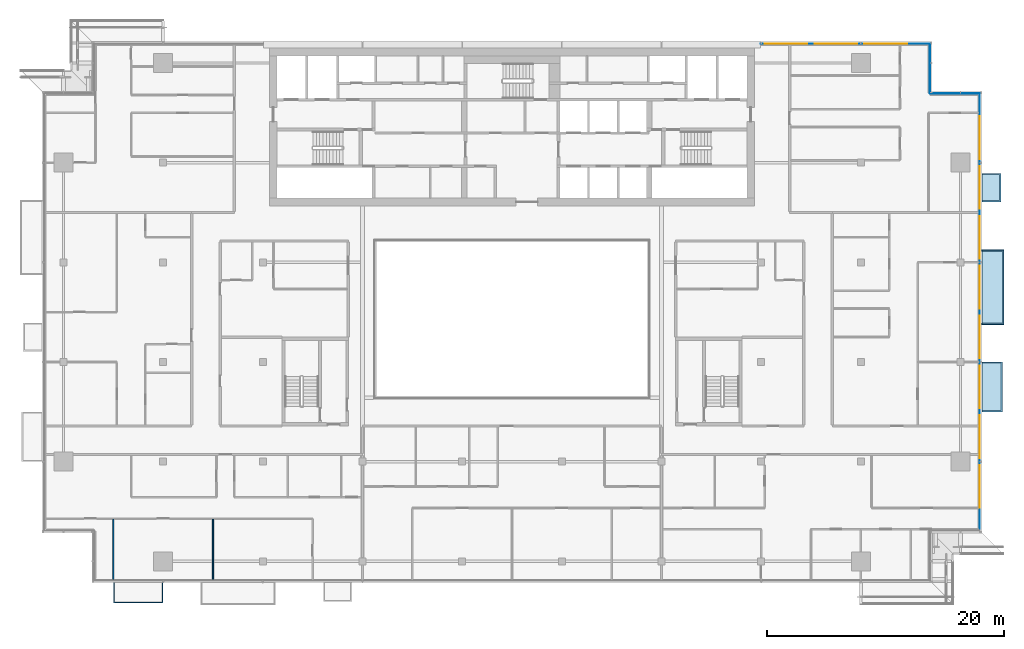
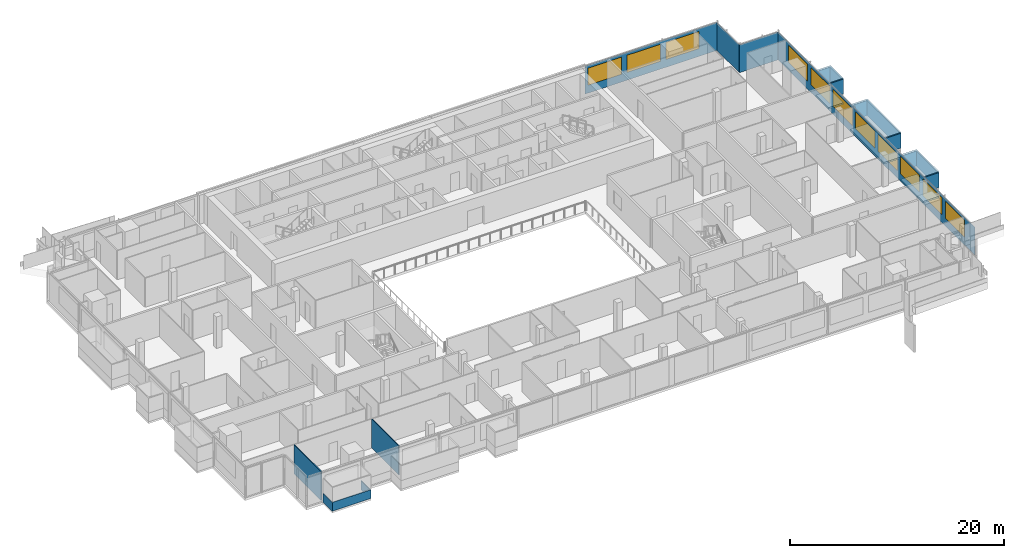
# One storey, part 16 of 30: 11 windows, 10 plates, 3 slabs, 3 walls, 11 openings, 4 elements without a shape of their own.
"""IFC4 building model written with IfcOpenShell, lengths in metres."""

from ifc_helpers import new_model, si_unit, direction, frame, frame_2d, origin, place, context, subcontext, project, spatial, polyline, rectangle, outline, extrude, material, layer, layer_set, type_object, element, fill, aggregate, save


model = new_model("IFC4")

# Units and contexts
model_context = context("Model", 3, precision=1e-05, world=origin(), true_north=direction((0.0, 1.0)))
body_context = subcontext(model_context, "Body", "Model", "MODEL_VIEW")
ifc_project = project(units=[si_unit("LENGTHUNIT", "METRE"), si_unit("AREAUNIT", "SQUARE_METRE"), si_unit("VOLUMEUNIT", "CUBIC_METRE"), si_unit("PLANEANGLEUNIT", "RADIAN"), si_unit("MASSUNIT", "GRAM", prefix="KILO")], contexts=[model_context])

# Site, building, storey
site_placement = place(None, origin())
site = spatial("IfcSite", under=ifc_project, at=site_placement, CompositionType="ELEMENT")
building_placement = place(site_placement, origin())
building = spatial("IfcBuilding", under=site, at=building_placement, Name="Saffron Gate Tower", CompositionType="ELEMENT")
storey_placement = place(building_placement, frame((0.0, 0.0, 216.300048828125)))
storey = spatial("IfcBuildingStorey", under=building, at=storey_placement, Name="L52", CompositionType="ELEMENT", Elevation=216.300048828125)

# Curtain wall, plate, openings, windows
ifc_material_1 = material(Name="Aluminium, bronze anodised", Category="aluminium")
curtain_wall_type_1 = type_object("IfcCurtainWallType", Name="CWS2 curtain wall side facades", PredefinedType="NOTDEFINED", material=ifc_material_1)
curtain_wall_1_placement = place(storey_placement, origin())
curtain_wall_1 = element("IfcCurtainWall", 1, at=curtain_wall_1_placement, inside=storey, type_object=curtain_wall_type_1, Name="CWS2 run 4", PredefinedType="NOTDEFINED")
ifc_material_2 = material(Name="Fritted bronze-tinted laminated glass", Category="glass")
ifc_layer_1 = layer(ifc_material_2, 0.028076171875)
ifc_layer_set_1 = layer_set([ifc_layer_1], Name="CWS2 fixed glass")
plate_type_1 = type_object("IfcPlateType", Name="CWS2 fixed glass", PredefinedType="CURTAIN_PANEL", material=ifc_layer_set_1)
plate_1_placement = place(storey_placement, frame((127.02587890625, 34.387939453125, 0.0), z_axis=(0.0, 0.0, 1.0), x_axis=(0.0, 1.0, 0.0)))
plate_1 = element("IfcPlate", 2, at=plate_1_placement, type_object=plate_type_1, Name="CWS2 glass panel", PredefinedType="CURTAIN_PANEL", context=body_context, shape_type="SweptSolid", body=[
    extrude(rectangle(XDim=36.823974609375, YDim=0.028076171875, at=frame_2d((18.412109375, 0.0))), origin(), (0.0, 0.0, 1.0), 3.199951171875),
])
opening_1_placement = place(plate_1_placement, frame((1.912109375, 0.0, 0.89990234375)))
opening_1 = element("IfcOpeningElement", 3, at=opening_1_placement, cuts=plate_1, Name="Opening W1", PredefinedType="OPENING", context=body_context, shape_type="SweptSolid", body=[
    extrude(rectangle(XDim=3.60009765625, YDim=1.949951171875, at=frame_2d((1.800048828125, 0.97509765625))), frame((0.0, 0.02392578125, 0.0), z_axis=(0.0, -1.0, 0.0), x_axis=(1.0, 0.0, 0.0)), (0.0, 0.0, 1.0), 0.048095703125),
])
opening_2_placement = place(plate_1_placement, frame((6.112060546875, 0.0, 0.89990234375)))
opening_2 = element("IfcOpeningElement", 4, at=opening_2_placement, cuts=plate_1, Name="Opening W1", PredefinedType="OPENING", context=body_context, shape_type="SweptSolid", body=[
    extrude(rectangle(XDim=3.60009765625, YDim=1.949951171875, at=frame_2d((1.800048828125, 0.97509765625))), frame((0.0, 0.02392578125, 0.0), z_axis=(0.0, -1.0, 0.0), x_axis=(1.0, 0.0, 0.0)), (0.0, 0.0, 1.0), 0.048095703125),
])
opening_3_placement = place(plate_1_placement, frame((10.31201171875, 0.0, 0.89990234375)))
opening_3 = element("IfcOpeningElement", 5, at=opening_3_placement, cuts=plate_1, Name="Opening W1", PredefinedType="OPENING", context=body_context, shape_type="SweptSolid", body=[
    extrude(rectangle(XDim=3.60009765625, YDim=1.949951171875, at=frame_2d((1.800048828125, 0.97509765625))), frame((0.0, 0.02392578125, 0.0), z_axis=(0.0, -1.0, 0.0), x_axis=(1.0, 0.0, 0.0)), (0.0, 0.0, 1.0), 0.048095703125),
])
opening_4_placement = place(plate_1_placement, frame((14.511962890625, 0.0, 0.89990234375)))
opening_4 = element("IfcOpeningElement", 6, at=opening_4_placement, cuts=plate_1, Name="Opening W1", PredefinedType="OPENING", context=body_context, shape_type="SweptSolid", body=[
    extrude(rectangle(XDim=3.60009765625, YDim=1.949951171875, at=frame_2d((1.800048828125, 0.97509765625))), frame((0.0, 0.02392578125, 0.0), z_axis=(0.0, -1.0, 0.0), x_axis=(1.0, 0.0, 0.0)), (0.0, 0.0, 1.0), 0.048095703125),
])
opening_5_placement = place(plate_1_placement, frame((18.7119140625, 0.0, 0.89990234375)))
opening_5 = element("IfcOpeningElement", 7, at=opening_5_placement, cuts=plate_1, Name="Opening W1", PredefinedType="OPENING", context=body_context, shape_type="SweptSolid", body=[
    extrude(rectangle(XDim=3.60009765625, YDim=1.949951171875, at=frame_2d((1.800048828125, 0.97509765625))), frame((0.0, 0.02392578125, 0.0), z_axis=(0.0, -1.0, 0.0), x_axis=(1.0, 0.0, 0.0)), (0.0, 0.0, 1.0), 0.048095703125),
])
opening_6_placement = place(plate_1_placement, frame((22.912109375, 0.0, 0.89990234375)))
opening_6 = element("IfcOpeningElement", 8, at=opening_6_placement, cuts=plate_1, Name="Opening W1", PredefinedType="OPENING", context=body_context, shape_type="SweptSolid", body=[
    extrude(rectangle(XDim=3.60009765625, YDim=1.949951171875, at=frame_2d((1.800048828125, 0.97509765625))), frame((0.0, 0.02392578125, 0.0), z_axis=(0.0, -1.0, 0.0), x_axis=(1.0, 0.0, 0.0)), (0.0, 0.0, 1.0), 0.048095703125),
])
opening_7_placement = place(plate_1_placement, frame((27.112060546875, 0.0, 0.89990234375)))
opening_7 = element("IfcOpeningElement", 9, at=opening_7_placement, cuts=plate_1, Name="Opening W1", PredefinedType="OPENING", context=body_context, shape_type="SweptSolid", body=[
    extrude(rectangle(XDim=3.60009765625, YDim=1.949951171875, at=frame_2d((1.800048828125, 0.97509765625))), frame((0.0, 0.02392578125, 0.0), z_axis=(0.0, -1.0, 0.0), x_axis=(1.0, 0.0, 0.0)), (0.0, 0.0, 1.0), 0.048095703125),
])
opening_8_placement = place(plate_1_placement, frame((31.31201171875, 0.0, 0.89990234375)))
opening_8 = element("IfcOpeningElement", 10, at=opening_8_placement, cuts=plate_1, Name="Opening W1", PredefinedType="OPENING", context=body_context, shape_type="SweptSolid", body=[
    extrude(rectangle(XDim=3.60009765625, YDim=1.949951171875, at=frame_2d((1.800048828125, 0.97509765625))), frame((0.0, 0.02392578125, 0.0), z_axis=(0.0, -1.0, 0.0), x_axis=(1.0, 0.0, 0.0)), (0.0, 0.0, 1.0), 0.048095703125),
])
ifc_material_3 = material(Name="Fritted bronze-tinted laminated glass in bronze frame", Category="glass")
ifc_layer_2 = layer(ifc_material_3, 0.06005859375)
ifc_layer_set_2 = layer_set([ifc_layer_2], Name="W1 operable panel 3600x1950")
window_type = type_object("IfcWindowType", Name="W1 operable panel 3600x1950", PartitioningType="DOUBLE_PANEL_HORIZONTAL", PredefinedType="WINDOW", material=ifc_layer_set_2)
window_1_placement = place(opening_1_placement, origin())
window_1 = element("IfcWindow", 11, at=window_1_placement, type_object=window_type, Name="W1 operable panel", OverallHeight=1.949951171875, OverallWidth=3.60009765625, PartitioningType="SINGLE_PANEL", PredefinedType="WINDOW", context=body_context, shape_type="SweptSolid", body=[
    extrude(rectangle(XDim=3.60009765625, YDim=1.949951171875, at=frame_2d((1.800048828125, 0.97509765625))), frame((0.0, 0.013671875, 0.0), z_axis=(0.0, -1.0, 0.0), x_axis=(1.0, 0.0, 0.0)), (0.0, 0.0, 1.0), 0.027587890625),
])
fill(opening_1, window_1)
window_2_placement = place(opening_2_placement, origin())
window_2 = element("IfcWindow", 12, at=window_2_placement, type_object=window_type, Name="W1 operable panel", OverallHeight=1.949951171875, OverallWidth=3.60009765625, PartitioningType="SINGLE_PANEL", PredefinedType="WINDOW", context=body_context, shape_type="SweptSolid", body=[
    extrude(rectangle(XDim=3.60009765625, YDim=1.949951171875, at=frame_2d((1.800048828125, 0.97509765625))), frame((0.0, 0.013671875, 0.0), z_axis=(0.0, -1.0, 0.0), x_axis=(1.0, 0.0, 0.0)), (0.0, 0.0, 1.0), 0.027587890625),
])
fill(opening_2, window_2)
window_3_placement = place(opening_3_placement, origin())
window_3 = element("IfcWindow", 13, at=window_3_placement, type_object=window_type, Name="W1 operable panel", OverallHeight=1.949951171875, OverallWidth=3.60009765625, PartitioningType="SINGLE_PANEL", PredefinedType="WINDOW", context=body_context, shape_type="SweptSolid", body=[
    extrude(rectangle(XDim=3.60009765625, YDim=1.949951171875, at=frame_2d((1.800048828125, 0.97509765625))), frame((0.0, 0.013671875, 0.0), z_axis=(0.0, -1.0, 0.0), x_axis=(1.0, 0.0, 0.0)), (0.0, 0.0, 1.0), 0.027587890625),
])
fill(opening_3, window_3)
window_4_placement = place(opening_4_placement, origin())
window_4 = element("IfcWindow", 14, at=window_4_placement, type_object=window_type, Name="W1 operable panel", OverallHeight=1.949951171875, OverallWidth=3.60009765625, PartitioningType="SINGLE_PANEL", PredefinedType="WINDOW", context=body_context, shape_type="SweptSolid", body=[
    extrude(rectangle(XDim=3.60009765625, YDim=1.949951171875, at=frame_2d((1.800048828125, 0.97509765625))), frame((0.0, 0.013671875, 0.0), z_axis=(0.0, -1.0, 0.0), x_axis=(1.0, 0.0, 0.0)), (0.0, 0.0, 1.0), 0.027587890625),
])
fill(opening_4, window_4)
window_5_placement = place(opening_5_placement, origin())
window_5 = element("IfcWindow", 15, at=window_5_placement, type_object=window_type, Name="W1 operable panel", OverallHeight=1.949951171875, OverallWidth=3.60009765625, PartitioningType="SINGLE_PANEL", PredefinedType="WINDOW", context=body_context, shape_type="SweptSolid", body=[
    extrude(rectangle(XDim=3.60009765625, YDim=1.949951171875, at=frame_2d((1.800048828125, 0.97509765625))), frame((0.0, 0.013671875, 0.0), z_axis=(0.0, -1.0, 0.0), x_axis=(1.0, 0.0, 0.0)), (0.0, 0.0, 1.0), 0.027587890625),
])
fill(opening_5, window_5)
window_6_placement = place(opening_6_placement, origin())
window_6 = element("IfcWindow", 16, at=window_6_placement, type_object=window_type, Name="W1 operable panel", OverallHeight=1.949951171875, OverallWidth=3.60009765625, PartitioningType="SINGLE_PANEL", PredefinedType="WINDOW", context=body_context, shape_type="SweptSolid", body=[
    extrude(rectangle(XDim=3.60009765625, YDim=1.949951171875, at=frame_2d((1.800048828125, 0.97509765625))), frame((0.0, 0.013671875, 0.0), z_axis=(0.0, -1.0, 0.0), x_axis=(1.0, 0.0, 0.0)), (0.0, 0.0, 1.0), 0.027587890625),
])
fill(opening_6, window_6)
window_7_placement = place(opening_7_placement, origin())
window_7 = element("IfcWindow", 17, at=window_7_placement, type_object=window_type, Name="W1 operable panel", OverallHeight=1.949951171875, OverallWidth=3.60009765625, PartitioningType="SINGLE_PANEL", PredefinedType="WINDOW", context=body_context, shape_type="SweptSolid", body=[
    extrude(rectangle(XDim=3.60009765625, YDim=1.949951171875, at=frame_2d((1.800048828125, 0.97509765625))), frame((0.0, 0.013671875, 0.0), z_axis=(0.0, -1.0, 0.0), x_axis=(1.0, 0.0, 0.0)), (0.0, 0.0, 1.0), 0.027587890625),
])
fill(opening_7, window_7)
window_8_placement = place(opening_8_placement, origin())
window_8 = element("IfcWindow", 18, at=window_8_placement, type_object=window_type, Name="W1 operable panel", OverallHeight=1.949951171875, OverallWidth=3.60009765625, PartitioningType="SINGLE_PANEL", PredefinedType="WINDOW", context=body_context, shape_type="SweptSolid", body=[
    extrude(rectangle(XDim=3.60009765625, YDim=1.949951171875, at=frame_2d((1.800048828125, 0.97509765625))), frame((0.0, 0.013671875, 0.0), z_axis=(0.0, -1.0, 0.0), x_axis=(1.0, 0.0, 0.0)), (0.0, 0.0, 1.0), 0.027587890625),
])
fill(opening_8, window_8)
aggregate(curtain_wall_1, [plate_1, window_1, window_2, window_3, window_4, window_5, window_6, window_7, window_8])

curtain_wall_type_2 = type_object("IfcCurtainWallType", Name="CWS3 curtain wall rear facade", PredefinedType="NOTDEFINED", material=ifc_material_1)
curtain_wall_2_placement = place(storey_placement, origin())
curtain_wall_2 = element("IfcCurtainWall", 19, at=curtain_wall_2_placement, inside=storey, type_object=curtain_wall_type_2, Name="CWS3 run 7", PredefinedType="NOTDEFINED")
ifc_material_4 = material(Name="Fritted grey-tinted laminated glass", Category="glass")
ifc_layer_3 = layer(ifc_material_4, 0.028076171875)
ifc_layer_set_3 = layer_set([ifc_layer_3], Name="CWS3 fixed glass")
plate_type_2 = type_object("IfcPlateType", Name="CWS3 fixed glass", PredefinedType="CURTAIN_PANEL", material=ifc_layer_set_3)
plate_2_placement = place(storey_placement, frame((122.81201171875, 75.426025390625, 0.0), z_axis=(0.0, 0.0, 1.0), x_axis=(-1.0, 0.0, 0.0)))
plate_2 = element("IfcPlate", 20, at=plate_2_placement, type_object=plate_type_2, Name="CWS3 glass panel", PredefinedType="CURTAIN_PANEL", context=body_context, shape_type="SweptSolid", body=[
    extrude(rectangle(XDim=14.2470703125, YDim=0.028076171875, at=frame_2d((7.12353515625, 0.0))), origin(), (0.0, 0.0, 1.0), 3.199951171875),
])
opening_9_placement = place(plate_2_placement, frame((1.912109375, 0.0, 0.89990234375)))
opening_9 = element("IfcOpeningElement", 21, at=opening_9_placement, cuts=plate_2, Name="Opening W1", PredefinedType="OPENING", context=body_context, shape_type="SweptSolid", body=[
    extrude(rectangle(XDim=3.60009765625, YDim=1.949951171875, at=frame_2d((1.800048828125, 0.97509765625))), frame((0.0, 0.02392578125, 0.0), z_axis=(0.0, -1.0, 0.0), x_axis=(1.0, 0.0, 0.0)), (0.0, 0.0, 1.0), 0.048095703125),
])
opening_10_placement = place(plate_2_placement, frame((6.112060546875, 0.0, 0.89990234375)))
opening_10 = element("IfcOpeningElement", 22, at=opening_10_placement, cuts=plate_2, Name="Opening W1", PredefinedType="OPENING", context=body_context, shape_type="SweptSolid", body=[
    extrude(rectangle(XDim=3.60009765625, YDim=1.949951171875, at=frame_2d((1.800048828125, 0.97509765625))), frame((0.0, 0.02392578125, 0.0), z_axis=(0.0, -1.0, 0.0), x_axis=(1.0, 0.0, 0.0)), (0.0, 0.0, 1.0), 0.048095703125),
])
opening_11_placement = place(plate_2_placement, frame((10.31201171875, 0.0, 0.89990234375)))
opening_11 = element("IfcOpeningElement", 23, at=opening_11_placement, cuts=plate_2, Name="Opening W1", PredefinedType="OPENING", context=body_context, shape_type="SweptSolid", body=[
    extrude(rectangle(XDim=3.60009765625, YDim=1.949951171875, at=frame_2d((1.800048828125, 0.97509765625))), frame((0.0, 0.02392578125, 0.0), z_axis=(0.0, -1.0, 0.0), x_axis=(1.0, 0.0, 0.0)), (0.0, 0.0, 1.0), 0.048095703125),
])
window_9_placement = place(opening_9_placement, origin())
window_9 = element("IfcWindow", 24, at=window_9_placement, type_object=window_type, Name="W1 operable panel", OverallHeight=1.949951171875, OverallWidth=3.60009765625, PartitioningType="SINGLE_PANEL", PredefinedType="WINDOW", context=body_context, shape_type="SweptSolid", body=[
    extrude(rectangle(XDim=3.60009765625, YDim=1.949951171875, at=frame_2d((1.800048828125, 0.97509765625))), frame((0.0, 0.013671875, 0.0), z_axis=(0.0, -1.0, 0.0), x_axis=(1.0, 0.0, 0.0)), (0.0, 0.0, 1.0), 0.027587890625),
])
fill(opening_9, window_9)
window_10_placement = place(opening_10_placement, origin())
window_10 = element("IfcWindow", 25, at=window_10_placement, type_object=window_type, Name="W1 operable panel", OverallHeight=1.949951171875, OverallWidth=3.60009765625, PartitioningType="SINGLE_PANEL", PredefinedType="WINDOW", context=body_context, shape_type="SweptSolid", body=[
    extrude(rectangle(XDim=3.60009765625, YDim=1.949951171875, at=frame_2d((1.800048828125, 0.97509765625))), frame((0.0, 0.013671875, 0.0), z_axis=(0.0, -1.0, 0.0), x_axis=(1.0, 0.0, 0.0)), (0.0, 0.0, 1.0), 0.027587890625),
])
fill(opening_10, window_10)
window_11_placement = place(opening_11_placement, origin())
window_11 = element("IfcWindow", 26, at=window_11_placement, type_object=window_type, Name="W1 operable panel", OverallHeight=1.949951171875, OverallWidth=3.60009765625, PartitioningType="SINGLE_PANEL", PredefinedType="WINDOW", context=body_context, shape_type="SweptSolid", body=[
    extrude(rectangle(XDim=3.60009765625, YDim=1.949951171875, at=frame_2d((1.800048828125, 0.97509765625))), frame((0.0, 0.013671875, 0.0), z_axis=(0.0, -1.0, 0.0), x_axis=(1.0, 0.0, 0.0)), (0.0, 0.0, 1.0), 0.027587890625),
])
fill(opening_11, window_11)
aggregate(curtain_wall_2, [plate_2, window_9, window_10, window_11])

# Curtain wall, plate
curtain_wall_type_3 = type_object("IfcCurtainWallType", Name="CWS4 curtain wall corner returns", PredefinedType="NOTDEFINED", material=ifc_material_1)
curtain_wall_3_placement = place(storey_placement, origin())
curtain_wall_3 = element("IfcCurtainWall", 27, at=curtain_wall_3_placement, inside=storey, type_object=curtain_wall_type_3, Name="CWS4 run 5", PredefinedType="NOTDEFINED")
ifc_layer_4 = layer(ifc_material_2, 0.028076171875)
ifc_layer_set_4 = layer_set([ifc_layer_4], Name="CWS4 fixed glass")
plate_type_3 = type_object("IfcPlateType", Name="CWS4 fixed glass", PredefinedType="CURTAIN_PANEL", material=ifc_layer_set_4)
plate_3_placement = place(storey_placement, frame((127.011962890625, 71.22607421875, 0.0), z_axis=(0.0, 0.0, 1.0), x_axis=(-1.0, 0.0, 0.0)))
plate_3 = element("IfcPlate", 28, at=plate_3_placement, type_object=plate_type_3, Name="CWS4 glass panel", PredefinedType="CURTAIN_PANEL", context=body_context, shape_type="SweptSolid", body=[
    extrude(rectangle(XDim=4.171875, YDim=0.028076171875, at=frame_2d((2.0859375, 0.0))), origin(), (0.0, 0.0, 1.0), 3.199951171875),
])
aggregate(curtain_wall_3, [plate_3])

curtain_wall_4_placement = place(storey_placement, origin())
curtain_wall_4 = element("IfcCurtainWall", 29, at=curtain_wall_4_placement, inside=storey, type_object=curtain_wall_type_3, Name="CWS4 run 6", PredefinedType="NOTDEFINED")
plate_4_placement = place(storey_placement, frame((122.825927734375, 71.239990234375, 0.0), z_axis=(0.0, 0.0, 1.0), x_axis=(0.0, 1.0, 0.0)))
plate_4 = element("IfcPlate", 30, at=plate_4_placement, type_object=plate_type_3, Name="CWS4 glass panel", PredefinedType="CURTAIN_PANEL", context=body_context, shape_type="SweptSolid", body=[
    extrude(rectangle(XDim=4.172119140625, YDim=0.028076171875, at=frame_2d((2.0859375, 0.0))), origin(), (0.0, 0.0, 1.0), 3.199951171875),
])
aggregate(curtain_wall_4, [plate_4])

# Slabs
ifc_material_5 = material(Name="Timber deck on bronze frame", Category="wood")
ifc_layer_5 = layer(ifc_material_5, 0.199951171875)
ifc_layer_set_5 = layer_set([ifc_layer_5], Name="WB1 box floor")
slab_type = type_object("IfcSlabType", Name="WB1 box floor", PredefinedType="FLOOR", material=ifc_layer_set_5)
slab_1_placement = place(storey_placement, frame((0.0, 0.0, -0.199951171875)))
element("IfcSlab", 31, at=slab_1_placement, inside=storey, type_object=slab_type, Name="WINDOW BOX floor", PredefinedType="FLOOR", context=body_context, shape_type="SweptSolid", body=[
    extrude(outline(polyline([(127.199951171875, 44.39990234375), (127.199951171875, 48.60009765625), (128.93310546875, 48.60009765625), (128.93310546875, 44.39990234375), (127.199951171875, 44.39990234375)])), origin(), (0.0, 0.0, 1.0), 0.199951171875),
])
slab_2_placement = place(storey_placement, frame((0.0, 0.0, -0.199951171875)))
element("IfcSlab", 32, at=slab_2_placement, inside=storey, type_object=slab_type, Name="WINDOW BOX floor", PredefinedType="FLOOR", context=body_context, shape_type="SweptSolid", body=[
    extrude(outline(polyline([(127.199951171875, 51.75), (127.199951171875, 58.050048828125), (129.06689453125, 58.050048828125), (129.06689453125, 51.75), (127.199951171875, 51.75)])), origin(), (0.0, 0.0, 1.0), 0.199951171875),
])
slab_3_placement = place(storey_placement, frame((0.0, 0.0, -0.199951171875)))
element("IfcSlab", 33, at=slab_3_placement, inside=storey, type_object=slab_type, Name="WINDOW BOX floor", PredefinedType="FLOOR", context=body_context, shape_type="SweptSolid", body=[
    extrude(outline(polyline([(127.199951171875, 62.10009765625), (127.199951171875, 64.5), (128.800048828125, 64.5), (128.800048828125, 62.10009765625), (127.199951171875, 62.10009765625)])), origin(), (0.0, 0.0, 1.0), 0.199951171875),
])

# Plates
ifc_layer_6 = layer(ifc_material_1, 0.1201171875)
ifc_layer_set_6 = layer_set([ifc_layer_6], Name="WB2 box roof")
plate_type_4 = type_object("IfcPlateType", Name="WB2 box roof", PredefinedType="SHEET", material=ifc_layer_set_6)
plate_5_placement = place(storey_placement, frame((0.0, 0.0, 2.699951171875)))
element("IfcPlate", 34, at=plate_5_placement, inside=storey, type_object=plate_type_4, Name="WINDOW BOX roof", PredefinedType="SHEET", context=body_context, shape_type="SweptSolid", body=[
    extrude(outline(polyline([(127.199951171875, 44.39990234375), (127.199951171875, 48.60009765625), (128.93310546875, 48.60009765625), (128.93310546875, 44.39990234375), (127.199951171875, 44.39990234375)])), origin(), (0.0, 0.0, 1.0), 0.1201171875),
])
plate_6_placement = place(storey_placement, frame((0.0, 0.0, 2.699951171875)))
element("IfcPlate", 35, at=plate_6_placement, inside=storey, type_object=plate_type_4, Name="WINDOW BOX roof", PredefinedType="SHEET", context=body_context, shape_type="SweptSolid", body=[
    extrude(outline(polyline([(127.199951171875, 51.75), (127.199951171875, 58.050048828125), (129.06689453125, 58.050048828125), (129.06689453125, 51.75), (127.199951171875, 51.75)])), origin(), (0.0, 0.0, 1.0), 0.1201171875),
])
plate_7_placement = place(storey_placement, frame((0.0, 0.0, 2.699951171875)))
element("IfcPlate", 36, at=plate_7_placement, inside=storey, type_object=plate_type_4, Name="WINDOW BOX roof", PredefinedType="SHEET", context=body_context, shape_type="SweptSolid", body=[
    extrude(outline(polyline([(127.199951171875, 62.10009765625), (127.199951171875, 64.5), (128.800048828125, 64.5), (128.800048828125, 62.10009765625), (127.199951171875, 62.10009765625)])), origin(), (0.0, 0.0, 1.0), 0.1201171875),
])
ifc_material_6 = material(Name="Clear low-iron laminated glass", Category="glass")
ifc_layer_7 = layer(ifc_material_6, 0.10009765625)
ifc_layer_set_7 = layer_set([ifc_layer_7], Name="WB6 box glazing")
plate_type_5 = type_object("IfcPlateType", Name="WB6 box glazing", PredefinedType="SHEET", material=ifc_layer_set_7)
plate_8_placement = place(storey_placement, frame((0.0, 0.0, 1.0)))
element("IfcPlate", 37, at=plate_8_placement, inside=storey, type_object=plate_type_5, Name="WINDOW BOX glazing", PredefinedType="SHEET", context=body_context, shape_type="SweptSolid", body=[
    extrude(outline(polyline([(127.199951171875, 44.39990234375), (127.199951171875, 44.5), (128.8330078125, 44.5), (128.8330078125, 48.5), (127.199951171875, 48.5), (127.199951171875, 48.60009765625), (128.93310546875, 48.60009765625), (128.93310546875, 44.39990234375), (127.199951171875, 44.39990234375)])), origin(), (0.0, 0.0, 1.0), 1.699951171875),
])
plate_9_placement = place(storey_placement, frame((0.0, 0.0, 1.0)))
element("IfcPlate", 38, at=plate_9_placement, inside=storey, type_object=plate_type_5, Name="WINDOW BOX glazing", PredefinedType="SHEET", context=body_context, shape_type="SweptSolid", body=[
    extrude(outline(polyline([(127.199951171875, 51.75), (127.199951171875, 51.85009765625), (128.967041015625, 51.85009765625), (128.967041015625, 57.949951171875), (127.199951171875, 57.949951171875), (127.199951171875, 58.050048828125), (129.06689453125, 58.050048828125), (129.06689453125, 51.75), (127.199951171875, 51.75)])), origin(), (0.0, 0.0, 1.0), 1.699951171875),
])
plate_10_placement = place(storey_placement, frame((0.0, 0.0, 1.0)))
element("IfcPlate", 39, at=plate_10_placement, inside=storey, type_object=plate_type_5, Name="WINDOW BOX glazing", PredefinedType="SHEET", context=body_context, shape_type="SweptSolid", body=[
    extrude(outline(polyline([(127.199951171875, 62.10009765625), (127.199951171875, 62.199951171875), (128.699951171875, 62.199951171875), (128.699951171875, 64.39990234375), (127.199951171875, 64.39990234375), (127.199951171875, 64.5), (128.800048828125, 64.5), (128.800048828125, 62.10009765625), (127.199951171875, 62.10009765625)])), origin(), (0.0, 0.0, 1.0), 1.699951171875),
])

# Walls
ifc_material_7 = material(Name="Plasterboard on steel studs", Category="steel")
ifc_layer_8 = layer(ifc_material_7, 0.10009765625)
ifc_layer_set_8 = layer_set([ifc_layer_8], Name="PW1 Partition 100")
wall_type_1 = type_object("IfcWallType", Name="PW1 Partition 100", PredefinedType="PARTITIONING", material=ifc_layer_set_8)
for number, where, z_axis, x_axis, name in (
    (40, (54.0, 35.35009765625, 0.0), (0.0, 0.0, 1.0), (0.0, -1.0, 0.0), "Partition D2-59"),
    (41, (62.39990234375, 35.35009765625, 0.0), (0.0, 0.0, 1.0), (0.0, -1.0, 0.0), "Partition D2-68"),
):
    element("IfcWall", number, at=place(storey_placement, frame(where, z_axis=z_axis, x_axis=x_axis)), inside=storey, type_object=wall_type_1, Name=name, PredefinedType="PARTITIONING", context=body_context, shape_type="SweptSolid", body=[
        extrude(rectangle(XDim=5.070068359375, YDim=0.10009765625, at=frame_2d((2.53515625, 0.0))), origin(), (0.0, 0.0, 1.0), 3.320068359375),
    ])
ifc_material_8 = material(Name="Rendered insulated panel, white")
ifc_layer_9 = layer(ifc_material_8, 0.10009765625)
ifc_layer_set_9 = layer_set([ifc_layer_9], Name="WB3 box parapet white")
wall_type_2 = type_object("IfcWallType", Name="WB3 box parapet white", PredefinedType="SOLIDWALL", material=ifc_layer_set_9)
wall_placement = place(storey_placement, origin())
element("IfcWall", 42, at=wall_placement, inside=storey, type_object=wall_type_2, Name="WINDOW BOX parapet", PredefinedType="SOLIDWALL", context=body_context, shape_type="SweptSolid", body=[
    extrude(outline(polyline([(54.0, 30.0), (54.10009765625, 30.0), (54.10009765625, 28.366943359375), (58.10009765625, 28.366943359375), (58.10009765625, 30.0), (58.199951171875, 30.0), (58.199951171875, 28.26708984375), (54.0, 28.26708984375), (54.0, 30.0)])), origin(), (0.0, 0.0, 1.0), 1.0),
])

save(model, "model.ifc")
